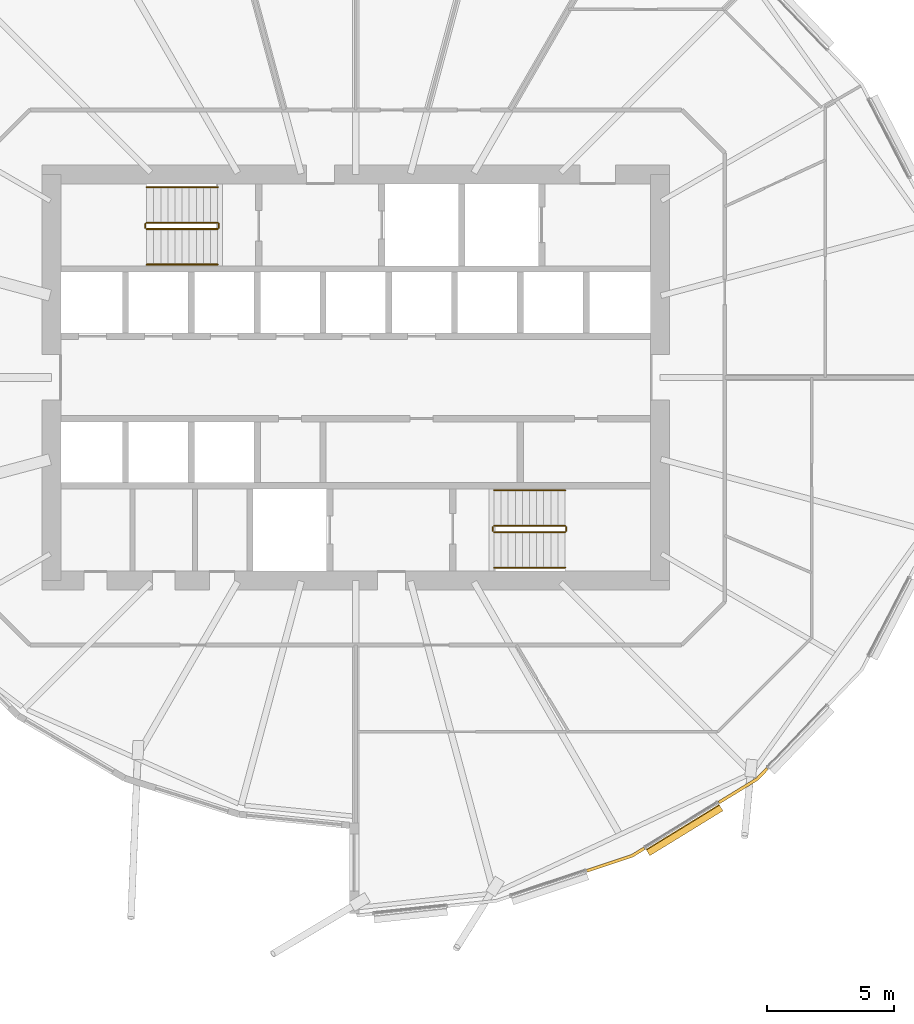
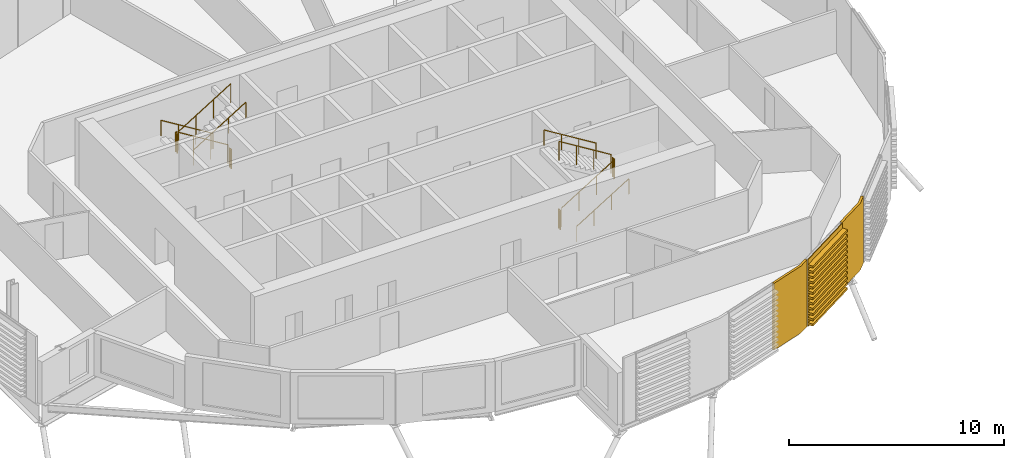
# One storey, part 36 of 40: 12 railings, 3 coverings.
"""IFC4 building model written with IfcOpenShell, lengths in metres."""

from ifc_helpers import new_model, si_unit, direction, frame, origin, origin_2d, place, context, subcontext, project, spatial, polyline, circle, outline, extrude, material, layer, layer_set, material_profile, profile_set, type_object, element, save


model = new_model("IFC4")

# Units and contexts
model_context = context("Model", 3, precision=1e-05, world=origin(), true_north=direction((0.0, 1.0)))
body_context = subcontext(model_context, "Body", "Model", "MODEL_VIEW")
ifc_project = project(units=[si_unit("LENGTHUNIT", "METRE"), si_unit("AREAUNIT", "SQUARE_METRE"), si_unit("VOLUMEUNIT", "CUBIC_METRE"), si_unit("PLANEANGLEUNIT", "RADIAN"), si_unit("MASSUNIT", "GRAM", prefix="KILO")], contexts=[model_context])

# Site, building, storey
site_placement = place(None, origin())
site = spatial("IfcSite", under=ifc_project, at=site_placement, CompositionType="ELEMENT")
building_placement = place(site_placement, origin())
building = spatial("IfcBuilding", under=site, at=building_placement, Name="Rimbun Link Towers", CompositionType="ELEMENT")
storey_placement = place(building_placement, frame((0.0, 0.0, 89.199951171875)))
storey = spatial("IfcBuildingStorey", under=building, at=storey_placement, Name="L21", CompositionType="ELEMENT", Elevation=89.199951171875)

# Coverings
ifc_material_1 = material(Name="Terracotta", Category="masonry")
ifc_layer = layer(ifc_material_1, 0.1201171875)
ifc_layer_set = layer_set([ifc_layer], Name="LINK PIER terracotta cladding 120")
covering_type_1 = type_object("IfcCoveringType", Name="LINK PIER terracotta cladding 120", PredefinedType="CLADDING", material=ifc_layer_set)
covering_1_placement = place(storey_placement, origin())
element("IfcCovering", 1, at=covering_1_placement, inside=storey, type_object=covering_type_1, Name="LINK PIER cladding", PredefinedType="CLADDING", context=body_context, shape_type="SweptSolid", body=[
    extrude(outline(polyline([(-20.40234375, -18.51513671875), (-20.88818359375, -18.8134765625), (-22.6630859375, -19.401611328125), (-22.62548828125, -19.515625), (-20.837158203125, -18.9228515625), (-20.339599609375, -18.617431640625), (-20.40234375, -18.51513671875)])), origin(), (0.0, 0.0, 1.0), 3.800048828125),
])
covering_2_placement = place(storey_placement, origin())
element("IfcCovering", 2, at=covering_2_placement, inside=storey, type_object=covering_type_1, Name="LINK PIER cladding", PredefinedType="CLADDING", context=body_context, shape_type="SweptSolid", body=[
    extrude(outline(polyline([(-15.567138671875, -15.376953125), (-15.96142578125, -15.78857421875), (-17.469970703125, -16.714599609375), (-17.406982421875, -16.81689453125), (-15.885498046875, -15.882568359375), (-15.48046875, -15.460205078125), (-15.567138671875, -15.376953125)])), origin(), (0.0, 0.0, 1.0), 3.800048828125),
])

# Railings
ifc_material_2 = material(Name="Stainless steel grade 316", Category="steel")
railing_type_1 = type_object("IfcRailingType", Name="Stair guard", PredefinedType="GUARDRAIL", material=ifc_material_2)
railing_1_placement = place(storey_placement, frame((-37.199951171875, 6.10009765625, 0.1728515625)))
element("IfcRailing", 3, at=railing_1_placement, inside=storey, type_object=railing_type_1, Name="L21 ST1 stair guard 1", PredefinedType="GUARDRAIL", context=body_context, shape_type="SweptSolid", body=[
    extrude(circle(Radius=0.02392578125, at=origin_2d()), frame((0.0, 0.0, 1.076171875), z_axis=(-0.851089632645, 0.0, 0.525020415988), x_axis=(0.0, -1.0, 0.0)), (0.0, 0.0, 1.0), 3.2900390625),
    extrude(circle(Radius=0.02099609375, at=origin_2d()), origin(), (0.0, 0.0, 1.0), 1.052001953125),
    extrude(circle(Radius=0.02099609375, at=origin_2d()), frame((-0.933349609375, 0.0, 0.57568359375)), (0.0, 0.0, 1.0), 1.052001953125),
    extrude(circle(Radius=0.02099609375, at=origin_2d()), frame((-1.86669921875, 0.0, 1.151611328125)), (0.0, 0.0, 1.0), 1.052001953125),
    extrude(circle(Radius=0.02099609375, at=origin_2d()), frame((-2.800048828125, 0.0, 1.727294921875)), (0.0, 0.0, 1.0), 1.052001953125),
])
railing_2_placement = place(storey_placement, frame((-40.050048828125, 6.050048828125, 1.900146484375)))
element("IfcRailing", 4, at=railing_2_placement, inside=storey, type_object=railing_type_1, Name="L21 ST1 stair guard 2", PredefinedType="GUARDRAIL", context=body_context, shape_type="SweptSolid", body=[
    extrude(circle(Radius=0.02392578125, at=origin_2d()), frame((0.0, 0.0, 1.076171875), z_axis=(0.0, -1.0, 0.0), x_axis=(1.0, 0.0, 0.0)), (0.0, 0.0, 1.0), 0.150146484375),
    extrude(circle(Radius=0.02099609375, at=origin_2d()), origin(), (0.0, 0.0, 1.0), 1.052001953125),
    extrude(circle(Radius=0.02099609375, at=origin_2d()), frame((0.0, -0.150146484375, 0.0)), (0.0, 0.0, 1.0), 1.052001953125),
])
railing_3_placement = place(storey_placement, frame((-40.0, 5.85009765625, 2.07275390625)))
element("IfcRailing", 5, at=railing_3_placement, inside=storey, type_object=railing_type_1, Name="L21 ST1 stair guard 3", PredefinedType="GUARDRAIL", context=body_context, shape_type="SweptSolid", body=[
    extrude(circle(Radius=0.02392578125, at=origin_2d()), frame((0.0, 0.0, 1.076171875), z_axis=(0.851089632645, 0.0, 0.525020415988), x_axis=(0.0, 1.0, 0.0)), (0.0, 0.0, 1.0), 3.2900390625),
    extrude(circle(Radius=0.02099609375, at=origin_2d()), origin(), (0.0, 0.0, 1.0), 1.052001953125),
    extrude(circle(Radius=0.02099609375, at=origin_2d()), frame((0.933349609375, 0.0, 0.57568359375)), (0.0, 0.0, 1.0), 1.052001953125),
    extrude(circle(Radius=0.02099609375, at=origin_2d()), frame((1.86669921875, 0.0, 1.151611328125)), (0.0, 0.0, 1.0), 1.052001953125),
    extrude(circle(Radius=0.02099609375, at=origin_2d()), frame((2.800048828125, 0.0, 1.727294921875)), (0.0, 0.0, 1.0), 1.052001953125),
])
railing_4_placement = place(storey_placement, frame((-37.14990234375, 6.050048828125, 0.0)))
element("IfcRailing", 6, at=railing_4_placement, inside=storey, type_object=railing_type_1, Name="L21 ST1 stair guard 4", PredefinedType="GUARDRAIL", context=body_context, shape_type="SweptSolid", body=[
    extrude(circle(Radius=0.02392578125, at=origin_2d()), frame((0.0, 0.0, 1.076171875), z_axis=(0.0, -1.0, 0.0), x_axis=(1.0, 0.0, 0.0)), (0.0, 0.0, 1.0), 0.150146484375),
    extrude(circle(Radius=0.02099609375, at=origin_2d()), origin(), (0.0, 0.0, 1.0), 1.052001953125),
    extrude(circle(Radius=0.02099609375, at=origin_2d()), frame((0.0, -0.150146484375, 0.0)), (0.0, 0.0, 1.0), 1.052001953125),
])
railing_5_placement = place(storey_placement, frame((-26.300048828125, -6.10009765625, 0.1728515625)))
element("IfcRailing", 7, at=railing_5_placement, inside=storey, type_object=railing_type_1, Name="L21 ST2 stair guard 1", PredefinedType="GUARDRAIL", context=body_context, shape_type="SweptSolid", body=[
    extrude(circle(Radius=0.02392578125, at=origin_2d()), frame((0.0, 0.0, 1.076171875), z_axis=(0.851089632645, 0.0, 0.525020415988), x_axis=(0.0, 1.0, 0.0)), (0.0, 0.0, 1.0), 3.2900390625),
    extrude(circle(Radius=0.02099609375, at=origin_2d()), origin(), (0.0, 0.0, 1.0), 1.052001953125),
    extrude(circle(Radius=0.02099609375, at=origin_2d()), frame((0.933349609375, 0.0, 0.57568359375)), (0.0, 0.0, 1.0), 1.052001953125),
    extrude(circle(Radius=0.02099609375, at=origin_2d()), frame((1.86669921875, 0.0, 1.151611328125)), (0.0, 0.0, 1.0), 1.052001953125),
    extrude(circle(Radius=0.02099609375, at=origin_2d()), frame((2.800048828125, 0.0, 1.727294921875)), (0.0, 0.0, 1.0), 1.052001953125),
])
railing_6_placement = place(storey_placement, frame((-23.449951171875, -6.050048828125, 1.900146484375)))
element("IfcRailing", 8, at=railing_6_placement, inside=storey, type_object=railing_type_1, Name="L21 ST2 stair guard 2", PredefinedType="GUARDRAIL", context=body_context, shape_type="SweptSolid", body=[
    extrude(circle(Radius=0.02392578125, at=origin_2d()), frame((0.0, 0.0, 1.076171875), z_axis=(0.0, 1.0, 0.0), x_axis=(-1.0, 0.0, 0.0)), (0.0, 0.0, 1.0), 0.150146484375),
    extrude(circle(Radius=0.02099609375, at=origin_2d()), origin(), (0.0, 0.0, 1.0), 1.052001953125),
    extrude(circle(Radius=0.02099609375, at=origin_2d()), frame((0.0, 0.150146484375, 0.0)), (0.0, 0.0, 1.0), 1.052001953125),
])
railing_7_placement = place(storey_placement, frame((-23.5, -5.85009765625, 2.07275390625)))
element("IfcRailing", 9, at=railing_7_placement, inside=storey, type_object=railing_type_1, Name="L21 ST2 stair guard 3", PredefinedType="GUARDRAIL", context=body_context, shape_type="SweptSolid", body=[
    extrude(circle(Radius=0.02392578125, at=origin_2d()), frame((0.0, 0.0, 1.076171875), z_axis=(-0.851089632645, 0.0, 0.525020415988), x_axis=(0.0, -1.0, 0.0)), (0.0, 0.0, 1.0), 3.2900390625),
    extrude(circle(Radius=0.02099609375, at=origin_2d()), origin(), (0.0, 0.0, 1.0), 1.052001953125),
    extrude(circle(Radius=0.02099609375, at=origin_2d()), frame((-0.933349609375, 0.0, 0.57568359375)), (0.0, 0.0, 1.0), 1.052001953125),
    extrude(circle(Radius=0.02099609375, at=origin_2d()), frame((-1.86669921875, 0.0, 1.151611328125)), (0.0, 0.0, 1.0), 1.052001953125),
    extrude(circle(Radius=0.02099609375, at=origin_2d()), frame((-2.800048828125, 0.0, 1.727294921875)), (0.0, 0.0, 1.0), 1.052001953125),
])
railing_8_placement = place(storey_placement, frame((-26.35009765625, -6.050048828125, 0.0)))
element("IfcRailing", 10, at=railing_8_placement, inside=storey, type_object=railing_type_1, Name="L21 ST2 stair guard 4", PredefinedType="GUARDRAIL", context=body_context, shape_type="SweptSolid", body=[
    extrude(circle(Radius=0.02392578125, at=origin_2d()), frame((0.0, 0.0, 1.076171875), z_axis=(0.0, 1.0, 0.0), x_axis=(-1.0, 0.0, 0.0)), (0.0, 0.0, 1.0), 0.150146484375),
    extrude(circle(Radius=0.02099609375, at=origin_2d()), origin(), (0.0, 0.0, 1.0), 1.052001953125),
    extrude(circle(Radius=0.02099609375, at=origin_2d()), frame((0.0, 0.150146484375, 0.0)), (0.0, 0.0, 1.0), 1.052001953125),
])
ifc_material_3 = material(Name="Stainless steel grade 316", Category="steel")
railing_type_2 = type_object("IfcRailingType", Name="Stair handrail", PredefinedType="HANDRAIL", material=ifc_material_3)
railing_9_placement = place(storey_placement, frame((-37.199951171875, 7.5, 0.1728515625)))
element("IfcRailing", 11, at=railing_9_placement, inside=storey, type_object=railing_type_2, Name="L21 ST1 stair handrail 1", PredefinedType="HANDRAIL", context=body_context, shape_type="SweptSolid", body=[
    extrude(circle(Radius=0.02392578125, at=origin_2d()), frame((0.0, 0.0, 0.8759765625), z_axis=(-0.851089632645, 0.0, 0.525020415988), x_axis=(0.0, -1.0, 0.0)), (0.0, 0.0, 1.0), 3.2900390625),
    extrude(circle(Radius=0.02099609375, at=origin_2d()), origin(), (0.0, 0.0, 1.0), 0.851806640625),
    extrude(circle(Radius=0.02099609375, at=origin_2d()), frame((-0.933349609375, 0.0, 0.57568359375)), (0.0, 0.0, 1.0), 0.851806640625),
    extrude(circle(Radius=0.02099609375, at=origin_2d()), frame((-1.86669921875, 0.0, 1.151611328125)), (0.0, 0.0, 1.0), 0.851806640625),
    extrude(circle(Radius=0.02099609375, at=origin_2d()), frame((-2.800048828125, 0.0, 1.727294921875)), (0.0, 0.0, 1.0), 0.851806640625),
])
for number, where, name in (
    (12, (-40.0, 4.449951171875, 2.07275390625), "L21 ST1 stair handrail 2"),
    (13, (-26.300048828125, -7.5, 0.1728515625), "L21 ST2 stair handrail 1"),
):
    element("IfcRailing", number, at=place(storey_placement, frame(where)), inside=storey, type_object=railing_type_2, Name=name, PredefinedType="HANDRAIL", context=body_context, shape_type="SweptSolid", body=[
        extrude(circle(Radius=0.02392578125, at=origin_2d()), frame((0.0, 0.0, 0.8759765625), z_axis=(0.851089632645, 0.0, 0.525020415988), x_axis=(0.0, 1.0, 0.0)), (0.0, 0.0, 1.0), 3.2900390625),
        extrude(circle(Radius=0.02099609375, at=origin_2d()), origin(), (0.0, 0.0, 1.0), 0.851806640625),
        extrude(circle(Radius=0.02099609375, at=origin_2d()), frame((0.933349609375, 0.0, 0.57568359375)), (0.0, 0.0, 1.0), 0.851806640625),
        extrude(circle(Radius=0.02099609375, at=origin_2d()), frame((1.86669921875, 0.0, 1.151611328125)), (0.0, 0.0, 1.0), 0.851806640625),
        extrude(circle(Radius=0.02099609375, at=origin_2d()), frame((2.800048828125, 0.0, 1.727294921875)), (0.0, 0.0, 1.0), 0.851806640625),
    ])
railing_10_placement = place(storey_placement, frame((-23.5, -4.449951171875, 2.07275390625)))
element("IfcRailing", 14, at=railing_10_placement, inside=storey, type_object=railing_type_2, Name="L21 ST2 stair handrail 2", PredefinedType="HANDRAIL", context=body_context, shape_type="SweptSolid", body=[
    extrude(circle(Radius=0.02392578125, at=origin_2d()), frame((0.0, 0.0, 0.8759765625), z_axis=(-0.851089632645, 0.0, 0.525020415988), x_axis=(0.0, -1.0, 0.0)), (0.0, 0.0, 1.0), 3.2900390625),
    extrude(circle(Radius=0.02099609375, at=origin_2d()), origin(), (0.0, 0.0, 1.0), 0.851806640625),
    extrude(circle(Radius=0.02099609375, at=origin_2d()), frame((-0.933349609375, 0.0, 0.57568359375)), (0.0, 0.0, 1.0), 0.851806640625),
    extrude(circle(Radius=0.02099609375, at=origin_2d()), frame((-1.86669921875, 0.0, 1.151611328125)), (0.0, 0.0, 1.0), 0.851806640625),
    extrude(circle(Radius=0.02099609375, at=origin_2d()), frame((-2.800048828125, 0.0, 1.727294921875)), (0.0, 0.0, 1.0), 0.851806640625),
])

# Covering
ifc_material_4 = material(Name="Terracotta", Category="masonry")
ifc_material_profile = material_profile(ifc_material_4, outline(polyline([(0.123046875, 0.0), (0.1630859375, 0.0), (0.1630859375, 0.10009765625), (0.423095703125, 0.10009765625), (0.423095703125, 0.219970703125), (0.1630859375, 0.219970703125), (0.1630859375, 0.39990234375), (0.423095703125, 0.39990234375), (0.423095703125, 0.52001953125), (0.1630859375, 0.52001953125), (0.1630859375, 0.699951171875), (0.423095703125, 0.699951171875), (0.423095703125, 0.820068359375), (0.1630859375, 0.820068359375), (0.1630859375, 1.0), (0.423095703125, 1.0), (0.423095703125, 1.1201171875), (0.1630859375, 1.1201171875), (0.1630859375, 1.300048828125), (0.423095703125, 1.300048828125), (0.423095703125, 1.419921875), (0.1630859375, 1.419921875), (0.1630859375, 1.60009765625), (0.423095703125, 1.60009765625), (0.423095703125, 1.719970703125), (0.1630859375, 1.719970703125), (0.1630859375, 1.89990234375), (0.423095703125, 1.89990234375), (0.423095703125, 2.02001953125), (0.1630859375, 2.02001953125), (0.1630859375, 2.199951171875), (0.423095703125, 2.199951171875), (0.423095703125, 2.320068359375), (0.1630859375, 2.320068359375), (0.1630859375, 2.5), (0.423095703125, 2.5), (0.423095703125, 2.6201171875), (0.1630859375, 2.6201171875), (0.1630859375, 2.800048828125), (0.423095703125, 2.800048828125), (0.423095703125, 2.919921875), (0.1630859375, 2.919921875), (0.1630859375, 3.10009765625), (0.423095703125, 3.10009765625), (0.423095703125, 3.219970703125), (0.1630859375, 3.219970703125), (0.1630859375, 3.39990234375), (0.423095703125, 3.39990234375), (0.423095703125, 3.52001953125), (0.1630859375, 3.52001953125), (0.1630859375, 3.800048828125), (0.123046875, 3.800048828125), (0.123046875, 0.0)])), Name="BAGUETTE 120X300")
ifc_profile_set = profile_set([ifc_material_profile], Name="Terracotta")
covering_type_2 = type_object("IfcCoveringType", Name="TERRACOTTA BAGUETTE 120X300 H3800", PredefinedType="CLADDING", material=ifc_profile_set)
covering_3_placement = place(storey_placement, frame((-17.495361328125, -16.730224609375, 0.0), z_axis=(-0.85216614194, -0.523271312544, 0.0), x_axis=(0.523271312544, -0.85216614194, 0.0)))
element("IfcCovering", 15, at=covering_3_placement, inside=storey, type_object=covering_type_2, Name="TERRACOTTA BAGUETTE", PredefinedType="CLADDING", context=body_context, shape_type="SweptSolid", body=[
    extrude(outline(polyline([(0.123046875, 0.0), (0.1630859375, 0.0), (0.1630859375, 0.10009765625), (0.423095703125, 0.10009765625), (0.423095703125, 0.219970703125), (0.1630859375, 0.219970703125), (0.1630859375, 0.39990234375), (0.423095703125, 0.39990234375), (0.423095703125, 0.52001953125), (0.1630859375, 0.52001953125), (0.1630859375, 0.699951171875), (0.423095703125, 0.699951171875), (0.423095703125, 0.820068359375), (0.1630859375, 0.820068359375), (0.1630859375, 1.0), (0.423095703125, 1.0), (0.423095703125, 1.1201171875), (0.1630859375, 1.1201171875), (0.1630859375, 1.300048828125), (0.423095703125, 1.300048828125), (0.423095703125, 1.419921875), (0.1630859375, 1.419921875), (0.1630859375, 1.60009765625), (0.423095703125, 1.60009765625), (0.423095703125, 1.719970703125), (0.1630859375, 1.719970703125), (0.1630859375, 1.89990234375), (0.423095703125, 1.89990234375), (0.423095703125, 2.02001953125), (0.1630859375, 2.02001953125), (0.1630859375, 2.199951171875), (0.423095703125, 2.199951171875), (0.423095703125, 2.320068359375), (0.1630859375, 2.320068359375), (0.1630859375, 2.5), (0.423095703125, 2.5), (0.423095703125, 2.6201171875), (0.1630859375, 2.6201171875), (0.1630859375, 2.800048828125), (0.423095703125, 2.800048828125), (0.423095703125, 2.919921875), (0.1630859375, 2.919921875), (0.1630859375, 3.10009765625), (0.423095703125, 3.10009765625), (0.423095703125, 3.219970703125), (0.1630859375, 3.219970703125), (0.1630859375, 3.39990234375), (0.423095703125, 3.39990234375), (0.423095703125, 3.52001953125), (0.1630859375, 3.52001953125), (0.1630859375, 3.800048828125), (0.123046875, 3.800048828125), (0.123046875, 0.0)])), origin(), (0.0, 0.0, 1.0), 3.381103515625),
])

save(model, "model.ifc")
